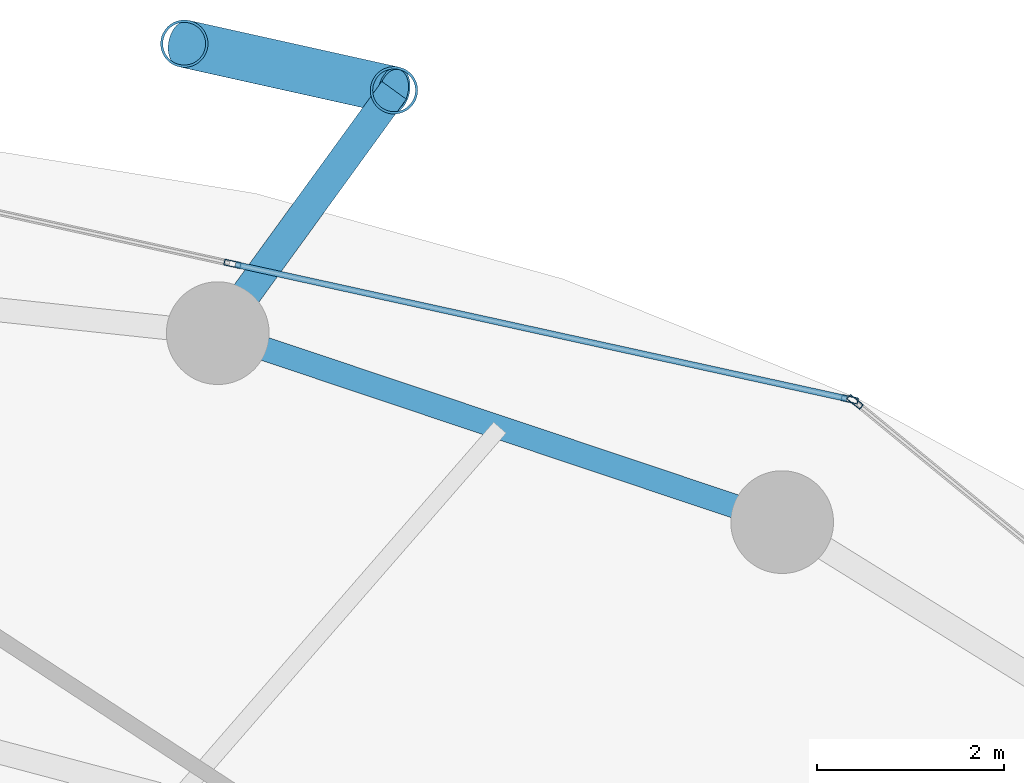
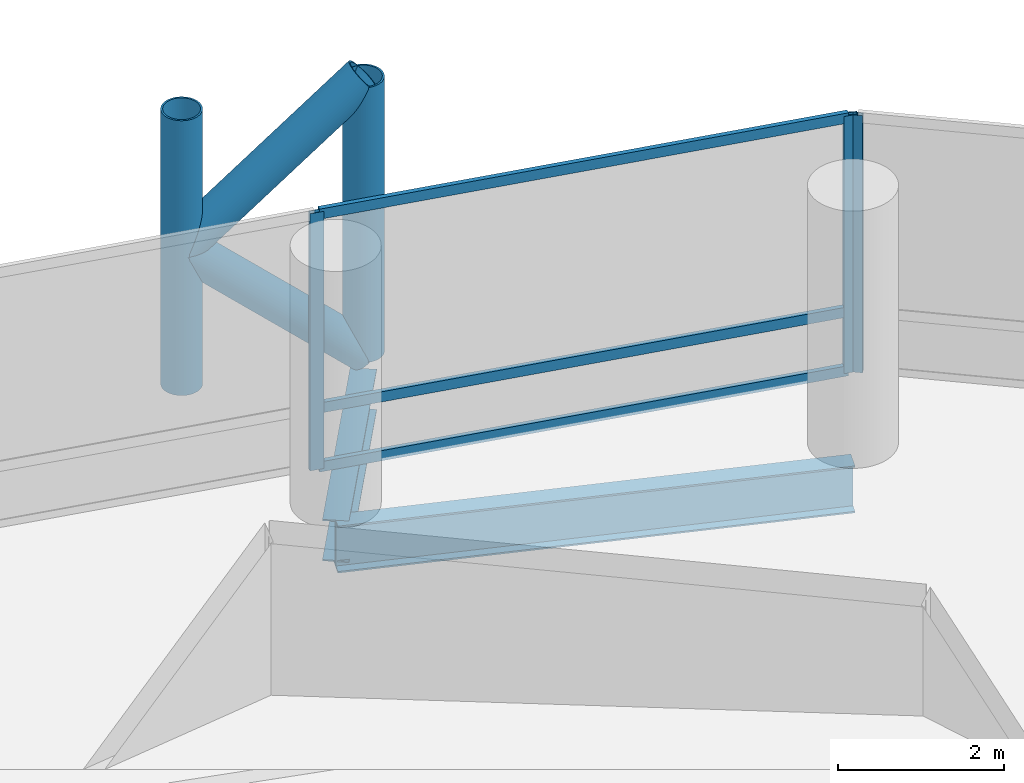
# One storey, part 18 of 24: 10 members, 2 beams, 2 elements without a shape of their own.
"""IFC4 building model written with IfcOpenShell, lengths in metres."""

import ifcopenshell
import ifcopenshell.guid

model = None  # the IFC model being written
_history = None  # IfcOwnerHistory: only IFC2X3 demands one
_inside = {}  # id of a spatial element -> (the spatial element, [elements in it])
_under = {}  # id of a project, library or spatial element -> (it, [spatial elements below it])
_declared = {}  # id of a project -> (the project, [libraries it declares])
_typed = {}  # id of a type object -> (the type object, [elements of that type])
_made_of = {}  # id of a material, layer set ... -> (it, [elements and type objects made of it])


def new_model(schema):
    """Start an empty IFC model of exactly this schema.

    Asked for "IFC4X3", IfcOpenShell would pick the latest addendum, in which some entities
    have other attributes; the version numbers below select the first issue.
    IFC2X3 requires an IfcOwnerHistory on every rooted entity: one is made here for all.
    """
    global model, _history
    if schema == "IFC4X3":
        model = ifcopenshell.file(schema_version=(4, 3, 0, 0))
    else:
        model = ifcopenshell.file(schema=schema)
    _inside.clear()
    _under.clear()
    _declared.clear()
    _typed.clear()
    _made_of.clear()
    _history = None
    if model.schema == "IFC2X3":
        org = make("IfcOrganization", Name="unknown")
        user = make(
            "IfcPersonAndOrganization",
            ThePerson=make("IfcPerson", FamilyName="unknown"),
            TheOrganization=org,
        )
        app = make(
            "IfcApplication",
            ApplicationDeveloper=org,
            Version="unknown",
            ApplicationFullName="unknown",
            ApplicationIdentifier="unknown",
        )
        _history = make(
            "IfcOwnerHistory",
            OwningUser=user,
            OwningApplication=app,
            ChangeAction="ADDED",
            CreationDate=0,
        )
    return model


def make(cls, **values):
    """One entity of the class cls with the attributes given. An attribute that is None is left unset."""
    return model.create_entity(
        cls, **{name: value for name, value in values.items() if value is not None}
    )


def rooted(cls, **values):
    """An entity with a GlobalId (a new one), such as an element, a storey or a relation."""
    return make(cls, GlobalId=ifcopenshell.guid.new(), OwnerHistory=_history, **values)


def si_unit(unit_type, name, prefix=None):
    """IfcSIUnit, for example si_unit("LENGTHUNIT", "METRE", prefix="MILLI")."""
    return make("IfcSIUnit", UnitType=unit_type, Prefix=prefix, Name=name)


def assignment(units):
    """IfcUnitAssignment: the units of a project."""
    return None if units is None else make("IfcUnitAssignment", Units=units)


def point(xyz):
    """IfcCartesianPoint."""
    return None if xyz is None else make("IfcCartesianPoint", Coordinates=xyz)


def direction(xyz):
    """IfcDirection."""
    return None if xyz is None else make("IfcDirection", DirectionRatios=xyz)


def frame(location, z_axis=None, x_axis=None):
    """IfcAxis2Placement3D, a coordinate frame: its origin and axes. An axis left out is left unset."""
    return make(
        "IfcAxis2Placement3D",
        Location=point(location),
        Axis=direction(z_axis),
        RefDirection=direction(x_axis),
    )


def frame_2d(location, x_axis=None):
    """IfcAxis2Placement2D, a coordinate frame in the plane: its origin and x axis."""
    return make(
        "IfcAxis2Placement2D", Location=point(location), RefDirection=direction(x_axis)
    )


def origin():
    """The frame at (0, 0, 0) with its axes left unset."""
    return frame((0.0, 0.0, 0.0))


def origin_2d():
    """The frame at (0, 0) in the plane with its x axis left unset."""
    return frame_2d((0.0, 0.0))


def place(relative_to, where):
    """IfcLocalPlacement: puts the frame where relative to a parent placement (None: the world)."""
    return make(
        "IfcLocalPlacement", PlacementRelTo=relative_to, RelativePlacement=where
    )


def context(
    kind, dimensions, precision=None, world=None, true_north=None, identifier=None
):
    """IfcGeometricRepresentationContext, for example the 3D "Model" context."""
    return make(
        "IfcGeometricRepresentationContext",
        ContextIdentifier=identifier,
        ContextType=kind,
        CoordinateSpaceDimension=dimensions,
        Precision=precision,
        WorldCoordinateSystem=world,
        TrueNorth=true_north,
    )


def subcontext(parent, identifier, kind, view, scale=None):
    """IfcGeometricRepresentationSubContext, for example "Body" below "Model"."""
    return make(
        "IfcGeometricRepresentationSubContext",
        ContextIdentifier=identifier,
        ContextType=kind,
        ParentContext=parent,
        TargetScale=scale,
        TargetView=view,
    )


def project(units=None, contexts=None):
    """IfcProject with its units and contexts."""
    return rooted(
        "IfcProject",
        Name="project",
        RepresentationContexts=contexts,
        UnitsInContext=assignment(units),
    )


def spatial(cls, under=None, at=None, **own):
    """A site, building, storey or space (cls), placed at a placement, below another one or the project."""
    s = rooted(cls, ObjectPlacement=at, **own)
    if under is not None:
        _under.setdefault(under.id(), (under, []))[1].append(s)
    return s


def profile(cls, at=None, kind="AREA", **sizes):
    """A parametric profile (cls). Its sizes go by their IFC names, for example OverallWidth=200.0."""
    return make(cls, ProfileType=kind, Position=at, **sizes)


def hollow_rectangle(**sizes):
    """IfcRectangleHollowProfileDef."""
    return profile("IfcRectangleHollowProfileDef", **sizes)


def hollow_circle(**sizes):
    """IfcCircleHollowProfileDef."""
    return profile("IfcCircleHollowProfileDef", **sizes)


def i_section(**sizes):
    """IfcIShapeProfileDef."""
    return profile("IfcIShapeProfileDef", **sizes)


def extrude(swept, where, along, depth):
    """IfcExtrudedAreaSolid: the profile swept, set in the frame where, extruded along a direction by depth."""
    return make(
        "IfcExtrudedAreaSolid",
        SweptArea=swept,
        Position=where,
        ExtrudedDirection=direction(along),
        Depth=depth,
    )


def shape(context_of_items, identifier, shape_type, items):
    """IfcShapeRepresentation: the items that make up one representation, for example the "Body"."""
    return make(
        "IfcShapeRepresentation",
        ContextOfItems=context_of_items,
        RepresentationIdentifier=identifier,
        RepresentationType=shape_type,
        Items=items,
    )


def material(Name=None, Category=None):
    """IfcMaterial."""
    return make("IfcMaterial", Name=Name, Category=Category)


def layer(
    of_material, thickness, ventilated=None, Name=None, Category=None, Priority=None
):
    """IfcMaterialLayer: one layer of a wall or slab, of a material (None: an air gap)."""
    return make(
        "IfcMaterialLayer",
        Material=of_material,
        LayerThickness=thickness,
        IsVentilated=ventilated,
        Name=Name,
        Category=Category,
        Priority=Priority,
    )


def layer_set(layers, Name=None):
    """IfcMaterialLayerSet."""
    return make("IfcMaterialLayerSet", MaterialLayers=layers, LayerSetName=Name)


def material_profile(
    of_material, cross_section, Name=None, Category=None, Priority=None
):
    """IfcMaterialProfile: a cross section and its material."""
    return make(
        "IfcMaterialProfile",
        Name=Name,
        Material=of_material,
        Profile=cross_section,
        Priority=Priority,
        Category=Category,
    )


def profile_set(profiles, Name=None, composite=None):
    """IfcMaterialProfileSet."""
    return make(
        "IfcMaterialProfileSet",
        Name=Name,
        MaterialProfiles=profiles,
        CompositeProfile=composite,
    )


def made_of(thing, what):
    """Note that an element or type object is made of a material, layer set ...; save() writes the relation."""
    if what is not None:
        _made_of.setdefault(what.id(), (what, []))[1].append(thing)
    return thing


def type_object(cls, material=None, **own):
    """A type object (cls), such as IfcWallType, which elements share."""
    return made_of(rooted(cls, **own), material)


def element(
    cls,
    number,
    at=None,
    inside=None,
    cuts=None,
    type_object=None,
    material=None,
    context=None,
    identifier="Body",
    shape_type=None,
    held_by="IfcProductDefinitionShape",
    body=None,
    shapes=None,
    **own,
):
    """One element of the class cls, such as IfcWall. Its Tag is "e" and its number.

    at: its placement. inside: the storey or other place that contains it. cuts: it is an
    opening in that element (IfcRelVoidsElement). A single representation is given by context,
    identifier, shape_type and body (its items); several are given by shapes. held_by: the class
    of the entity that holds the representations. save() writes the other relations.
    """
    e = rooted(cls, Tag="e%d" % number, ObjectPlacement=at, **own)
    if body is not None:
        shapes = [shape(context, identifier, shape_type, body)]
    if shapes is not None:
        e.Representation = make(held_by, Representations=shapes)
    if inside is not None:
        _inside.setdefault(inside.id(), (inside, []))[1].append(e)
    if cuts is not None:
        rooted(
            "IfcRelVoidsElement", RelatingBuildingElement=cuts, RelatedOpeningElement=e
        )
    if type_object is not None:
        _typed.setdefault(type_object.id(), (type_object, []))[1].append(e)
    return made_of(e, material)


def aggregate(whole, parts):
    """IfcRelAggregates: a whole, such as a stair, and the parts it consists of."""
    return rooted("IfcRelAggregates", RelatingObject=whole, RelatedObjects=parts)


def save(model, path):
    """Write the relations noted so far, then the file.

    IfcRelAggregates (storeys below a building ...), IfcRelContainedInSpatialStructure (elements
    in a storey), IfcRelDefinesByType, IfcRelAssociatesMaterial and IfcRelDeclares: one each for
    every whole, place, type object, material and project.
    """
    for whole, parts in _under.values():
        aggregate(whole, parts)
    for where, things in _inside.values():
        rooted(
            "IfcRelContainedInSpatialStructure",
            RelatedElements=things,
            RelatingStructure=where,
        )
    for kind, things in _typed.values():
        rooted("IfcRelDefinesByType", RelatedObjects=things, RelatingType=kind)
    for what, things in _made_of.values():
        rooted("IfcRelAssociatesMaterial", RelatedObjects=things, RelatingMaterial=what)
    for by, libraries in _declared.values():
        rooted("IfcRelDeclares", RelatingContext=by, RelatedDefinitions=libraries)
    model.write(path)


model = new_model("IFC4")

# Units and contexts
model_context = context("Model", 3, precision=1e-05, world=origin(), true_north=direction((0.0, 1.0)))
body_context = subcontext(model_context, "Body", "Model", "MODEL_VIEW")
ifc_project = project(units=[si_unit("LENGTHUNIT", "METRE"), si_unit("AREAUNIT", "SQUARE_METRE"), si_unit("VOLUMEUNIT", "CUBIC_METRE"), si_unit("PLANEANGLEUNIT", "RADIAN"), si_unit("MASSUNIT", "GRAM", prefix="KILO")], contexts=[model_context])

# Site, building, storey
site_placement = place(None, origin())
site = spatial("IfcSite", under=ifc_project, at=site_placement, CompositionType="ELEMENT")
building_placement = place(site_placement, origin())
building = spatial("IfcBuilding", under=site, at=building_placement, Name="Nuhasar Tower", CompositionType="ELEMENT")
storey_placement = place(building_placement, frame((0.0, 0.0, 37.199951171875)))
storey = spatial("IfcBuildingStorey", under=building, at=storey_placement, Name="L08", CompositionType="ELEMENT", Elevation=37.199951171875)

# Beams
ifc_material_1 = material(Name="Steel S355", Category="steel")
ifc_material_profile_1 = material_profile(ifc_material_1, i_section(OverallWidth=0.256103515625, OverallDepth=0.693115234375, WebThickness=0.014404296875, FlangeThickness=0.023681640625, at=origin_2d()), Name="W27X114")
ifc_profile_set_1 = profile_set([ifc_material_profile_1], Name="Steel S355")
beam_type_1 = type_object("IfcBeamType", Name="BM-RING-W27X114", PredefinedType="SPANDREL", material=ifc_profile_set_1)
beam_1_placement = place(storey_placement, frame((51.52490234375, 44.3369140625, -0.60693359375), z_axis=(-0.948249435708, 0.317526388949, 0.0), x_axis=(-0.317526388949, -0.948249435708, 0.0)))
element("IfcBeam", 1, at=beam_1_placement, inside=storey, type_object=beam_type_1, Name="L08 Perimeter Ring Spandrel 05", PredefinedType="SPANDREL", context=body_context, shape_type="SweptSolid", body=[
    extrude(i_section(OverallWidth=0.256103515625, OverallDepth=0.693115234375, WebThickness=0.014404296875, FlangeThickness=0.023681640625, at=origin_2d()), origin(), (0.0, 0.0, 1.0), 6.371826171875),
])
ifc_material_profile_2 = material_profile(ifc_material_1, i_section(OverallWidth=0.323974609375, OverallDepth=0.611083984375, WebThickness=0.0126953125, FlangeThickness=0.01904296875, at=origin_2d()), Name="W24X104")
ifc_profile_set_2 = profile_set([ifc_material_profile_2], Name="Steel S355")
beam_type_2 = type_object("IfcBeamType", Name="BM-TIE-W24X104", PredefinedType="BEAM", material=ifc_profile_set_2)
beam_2_placement = place(storey_placement, frame((45.48291015625, 46.360107421875, -0.56591796875), z_axis=(0.587439442414, 0.809268127073, 0.0), x_axis=(-0.809268127073, 0.587439442414, 0.0)))
element("IfcBeam", 2, at=beam_2_placement, inside=storey, type_object=beam_type_2, Name="L08 Exoskeleton Node Tie Beam 03", PredefinedType="BEAM", context=body_context, shape_type="SweptSolid", body=[
    extrude(i_section(OverallWidth=0.323974609375, OverallDepth=0.611083984375, WebThickness=0.0126953125, FlangeThickness=0.01904296875, at=origin_2d()), origin(), (0.0, 0.0, 1.0), 3.212646484375),
])

# Curtain wall, member
ifc_material_2 = material(Name="Aluminium 6063-T6", Category="aluminium")
ifc_layer = layer(ifc_material_2, 0.199951171875)
ifc_layer_set = layer_set([ifc_layer], Name="Aluminium 6063-T6")
curtain_wall_type = type_object("IfcCurtainWallType", Name="CW-Z1-OFF", PredefinedType="NOTDEFINED", material=ifc_layer_set)
curtain_wall_1_placement = place(storey_placement, origin())
curtain_wall_1 = element("IfcCurtainWall", 3, at=curtain_wall_1_placement, inside=storey, type_object=curtain_wall_type, Name="L08 Unitised Curtain Wall 02", PredefinedType="NOTDEFINED")
ifc_material_profile_3 = material_profile(ifc_material_2, hollow_rectangle(XDim=0.06494140625, YDim=0.179931640625, WallThickness=0.0048828125, at=origin_2d()), Name="CWM-2")
ifc_profile_set_3 = profile_set([ifc_material_profile_3], Name="Aluminium 6063-T6")
member_type_1 = type_object("IfcMemberType", Name="CW-MUL-S2", PredefinedType="MULLION", material=ifc_profile_set_3)
member_1_placement = place(storey_placement, frame((52.30517578125, 45.62451171875, 0.0), z_axis=(0.0, 0.0, 1.0), x_axis=(-0.633744593376, -0.773542364946, 0.0)))
member_1 = element("IfcMember", 4, at=member_1_placement, type_object=member_type_1, Name="CW-Z1 mullion 2", PredefinedType="MULLION", context=body_context, shape_type="SweptSolid", body=[
    extrude(hollow_rectangle(XDim=0.06494140625, YDim=0.179931640625, WallThickness=0.0048828125, at=origin_2d()), origin(), (0.0, 0.0, 1.0), 3.7900390625),
])
aggregate(curtain_wall_1, [member_1])

# Curtain wall, members
curtain_wall_2_placement = place(storey_placement, origin())
curtain_wall_2 = element("IfcCurtainWall", 5, at=curtain_wall_2_placement, inside=storey, type_object=curtain_wall_type, Name="L08 Unitised Curtain Wall 03", PredefinedType="NOTDEFINED")
member_2_placement = place(storey_placement, frame((52.248291015625, 45.65185546875, 0.0), z_axis=(0.0, 0.0, 1.0), x_axis=(-0.214398737637, -0.976746221544, 0.0)))
member_2 = element("IfcMember", 6, at=member_2_placement, type_object=member_type_1, Name="CW-Z1 mullion 1", PredefinedType="MULLION", context=body_context, shape_type="SweptSolid", body=[
    extrude(hollow_rectangle(XDim=0.06494140625, YDim=0.179931640625, WallThickness=0.0048828125, at=origin_2d()), origin(), (0.0, 0.0, 1.0), 3.7900390625),
])
member_3_placement = place(storey_placement, frame((45.639892578125, 47.1025390625, 0.0), z_axis=(0.0, 0.0, 1.0), x_axis=(-0.214398737637, -0.976746221544, 0.0)))
member_3 = element("IfcMember", 7, at=member_3_placement, type_object=member_type_1, Name="CW-Z1 mullion 2", PredefinedType="MULLION", context=body_context, shape_type="SweptSolid", body=[
    extrude(hollow_rectangle(XDim=0.06494140625, YDim=0.179931640625, WallThickness=0.0048828125, at=origin_2d()), origin(), (0.0, 0.0, 1.0), 3.7900390625),
])
ifc_material_profile_4 = material_profile(ifc_material_2, hollow_rectangle(XDim=0.06494140625, YDim=0.14990234375, WallThickness=0.00439453125, at=origin_2d()), Name="CWT-2")
ifc_profile_set_4 = profile_set([ifc_material_profile_4], Name="Aluminium 6063-T6")
member_type_2 = type_object("IfcMemberType", Name="CW-TRN-S2", PredefinedType="USERDEFINED", material=ifc_profile_set_4)
member_4_placement = place(storey_placement, frame((52.216552734375, 45.658935546875, 0.032470703125), z_axis=(-0.976749553792, 0.214383556196, 0.0), x_axis=(-0.214383556196, -0.976749553792, 0.0)))
member_4 = element("IfcMember", 8, at=member_4_placement, type_object=member_type_2, Name="CW-Z1 transom 1.1", ObjectType="TRANSOM", PredefinedType="USERDEFINED", context=body_context, shape_type="SweptSolid", body=[
    extrude(hollow_rectangle(XDim=0.06494140625, YDim=0.14990234375, WallThickness=0.00439453125, at=origin_2d()), origin(), (0.0, 0.0, 1.0), 6.70068359375),
])
member_5_placement = place(storey_placement, frame((52.216552734375, 45.658935546875, 0.900146484375), z_axis=(-0.976749553792, 0.214383556196, 0.0), x_axis=(-0.214383556196, -0.976749553792, 0.0)))
member_5 = element("IfcMember", 9, at=member_5_placement, type_object=member_type_2, Name="CW-Z1 transom 1.2", ObjectType="TRANSOM", PredefinedType="USERDEFINED", context=body_context, shape_type="SweptSolid", body=[
    extrude(hollow_rectangle(XDim=0.06494140625, YDim=0.14990234375, WallThickness=0.00439453125, at=origin_2d()), origin(), (0.0, 0.0, 1.0), 6.70068359375),
])
member_6_placement = place(storey_placement, frame((52.216552734375, 45.658935546875, 3.757568359375), z_axis=(-0.976749553792, 0.214383556196, 0.0), x_axis=(-0.214383556196, -0.976749553792, 0.0)))
member_6 = element("IfcMember", 10, at=member_6_placement, type_object=member_type_2, Name="CW-Z1 transom 1.3", ObjectType="TRANSOM", PredefinedType="USERDEFINED", context=body_context, shape_type="SweptSolid", body=[
    extrude(hollow_rectangle(XDim=0.06494140625, YDim=0.14990234375, WallThickness=0.00439453125, at=origin_2d()), origin(), (0.0, 0.0, 1.0), 6.70068359375),
])
aggregate(curtain_wall_2, [member_2, member_3, member_4, member_5, member_6])

# Members
ifc_material_3 = material(Name="Steel S460", Category="steel")
ifc_material_profile_5 = material_profile(ifc_material_3, hollow_circle(Radius=0.25390625, WallThickness=0.025390625, at=origin_2d()), Name="HSS508X25.4")
ifc_profile_set_5 = profile_set([ifc_material_profile_5], Name="Steel S460")
member_type_3 = type_object("IfcMemberType", Name="EXO-BRONZE-508", PredefinedType="BRACE", material=ifc_profile_set_5)
for number, where, z_axis, x_axis, name in (
    (11, (47.3701171875, 48.9599609375, 0.0), (0.0, 0.0, 1.0), (1.0, 0.0, 0.0), "L08 Exoskeleton Chord Column EC-03A"),
    (12, (45.1240234375, 49.458984375, 0.0), (0.0, 0.0, 1.0), (1.0, 0.0, 0.0), "L08 Exoskeleton Chord Column EC-03B"),
):
    element("IfcMember", number, at=place(storey_placement, frame(where, z_axis=z_axis, x_axis=x_axis)), inside=storey, type_object=member_type_3, Name=name, PredefinedType="BRACE", context=body_context, shape_type="SweptSolid", body=[
        extrude(hollow_circle(Radius=0.25390625, WallThickness=0.025390625, at=origin_2d()), origin(), (0.0, 0.0, 1.0), 4.050048828125),
    ])
member_7_placement = place(storey_placement, frame((47.3701171875, 48.9599609375, 0.0), z_axis=(-0.732782908552, 0.162805246204, 0.660699372439), x_axis=(-0.216885517571, -0.97619704582, 0.0)))
element("IfcMember", 13, at=member_7_placement, inside=storey, type_object=member_type_3, Name="L08 Bronze Diagrid Brace W1-03", PredefinedType="BRACE", context=body_context, shape_type="SweptSolid", body=[
    extrude(hollow_circle(Radius=0.25390625, WallThickness=0.025390625, at=origin_2d()), origin(), (0.0, 0.0, 1.0), 3.065185546875),
])
member_8_placement = place(storey_placement, frame((45.1240234375, 49.458984375, 2.025146484375), z_axis=(0.732821471909, -0.162813813976, 0.660654487828), x_axis=(0.216885517571, 0.97619704582, 0.0)))
element("IfcMember", 14, at=member_8_placement, inside=storey, type_object=member_type_3, Name="L08 Bronze Diagrid Brace W2-03", PredefinedType="BRACE", context=body_context, shape_type="SweptSolid", body=[
    extrude(hollow_circle(Radius=0.25390625, WallThickness=0.025390625, at=origin_2d()), origin(), (0.0, 0.0, 1.0), 3.06494140625),
])

save(model, "model.ifc")
